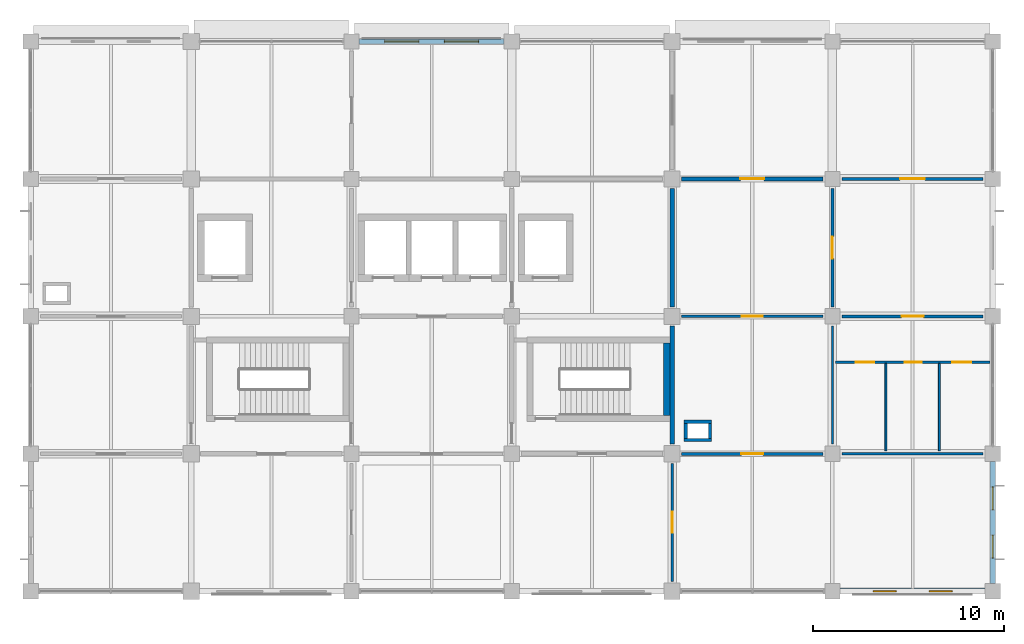
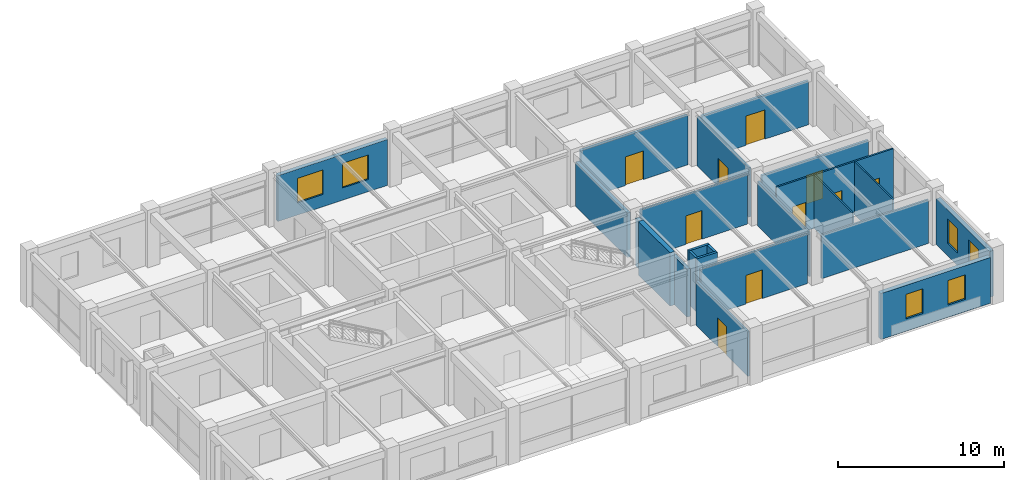
# One storey, part 10 of 13: 22 walls, 10 doors, 6 windows, 16 openings.
"""IFC4 building model written with IfcOpenShell, lengths in metres."""

from ifc_helpers import new_model, si_unit, derived_unit, direction, frame, frame_2d, origin, place, context, subcontext, project, spatial, rectangle, extrude, material, layer, layer_set, type_object, element, fill, save


model = new_model("IFC4")

# Units and contexts
model_context = context("Model", 3, precision=1e-05, world=origin(), true_north=direction((0.0, 1.0)))
body_context = subcontext(model_context, "Body", "Model", "MODEL_VIEW")
ifc_project = project(units=[si_unit("LENGTHUNIT", "METRE"), si_unit("AREAUNIT", "SQUARE_METRE"), si_unit("VOLUMEUNIT", "CUBIC_METRE"), si_unit("PLANEANGLEUNIT", "RADIAN"), si_unit("MASSUNIT", "GRAM", prefix="KILO"), derived_unit("THERMALTRANSMITTANCEUNIT", [(si_unit("MASSUNIT", "GRAM", prefix="KILO"), 1), (si_unit("TIMEUNIT", "SECOND"), -3), (si_unit("THERMODYNAMICTEMPERATUREUNIT", "KELVIN"), -1)])], contexts=[model_context])

# Site, building, storey
site_placement = place(None, origin())
site = spatial("IfcSite", under=ifc_project, at=site_placement, CompositionType="ELEMENT")
building_placement = place(site_placement, origin())
building = spatial("IfcBuilding", under=site, at=building_placement, Name="Veldstrom Oceanarium and Marine Research Institute", CompositionType="ELEMENT")
storey_placement = place(building_placement, frame((0.0, 0.0, 27.0)))
storey = spatial("IfcBuildingStorey", under=building, at=storey_placement, Name="L05", CompositionType="ELEMENT", Elevation=27.0)

# Wall, openings, windows
ifc_material_1 = material(Name="Masonry Cavity Wall", Category="masonry")
ifc_layer_1 = layer(ifc_material_1, 0.31005859375)
ifc_layer_set_1 = layer_set([ifc_layer_1], Name="ARC-WAL-EW1")
wall_type_1 = type_object("IfcWallType", Name="ARC-WAL-EW1", PredefinedType="SOLIDWALL", material=ifc_layer_set_1)
wall_1_placement = place(storey_placement, frame((109.60009765625, 43.199951171875, 0.0), z_axis=(0.0, 0.0, 1.0), x_axis=(1.0, 0.0, 0.0)))
wall_1 = element("IfcWall", 1, at=wall_1_placement, inside=storey, type_object=wall_type_1, Name="Exterior Facade Wall EW1 L05-183", PredefinedType="SOLIDWALL", context=body_context, shape_type="SweptSolid", body=[
    extrude(rectangle(XDim=7.599853515625, YDim=0.31005859375, at=frame_2d((3.7998046875, 0.0))), origin(), (0.0, 0.0, 1.0), 3.364990234375),
])
opening_1_placement = place(wall_1_placement, frame((1.7333984375, 0.0, 0.89990234375)))
opening_1 = element("IfcOpeningElement", 2, at=opening_1_placement, cuts=wall_1, Name="Opening W05", PredefinedType="OPENING", context=body_context, shape_type="SweptSolid", body=[
    extrude(rectangle(XDim=1.199951171875, YDim=1.800048828125, at=frame_2d((0.60009765625, 0.89990234375))), frame((0.0, 0.1650390625, 0.0), z_axis=(0.0, -1.0, 0.0), x_axis=(1.0, 0.0, 0.0)), (0.0, 0.0, 1.0), 0.330078125),
])
opening_2_placement = place(wall_1_placement, frame((4.666748046875, 0.0, 0.89990234375)))
opening_2 = element("IfcOpeningElement", 3, at=opening_2_placement, cuts=wall_1, Name="Opening W05", PredefinedType="OPENING", context=body_context, shape_type="SweptSolid", body=[
    extrude(rectangle(XDim=1.199951171875, YDim=1.800048828125, at=frame_2d((0.60009765625, 0.89990234375))), frame((0.0, 0.1650390625, 0.0), z_axis=(0.0, -1.0, 0.0), x_axis=(1.0, 0.0, 0.0)), (0.0, 0.0, 1.0), 0.330078125),
])
ifc_material_2 = material(Name="Double Glazed Low-E IGU", Category="glass")
window_type_1 = type_object("IfcWindowType", Name="ARC-WIN-W05", PartitioningType="SINGLE_PANEL", PredefinedType="WINDOW", material=ifc_material_2)
window_1_placement = place(opening_1_placement, origin())
window_1 = element("IfcWindow", 4, at=window_1_placement, inside=storey, type_object=window_type_1, Name="Facade Window W05 L05-0143", OverallHeight=1.800048828125, OverallWidth=1.199951171875, PartitioningType="SINGLE_PANEL", PredefinedType="WINDOW", context=body_context, shape_type="SweptSolid", body=[
    extrude(rectangle(XDim=1.199951171875, YDim=1.800048828125, at=frame_2d((0.60009765625, 0.89990234375))), frame((0.0, 0.030029296875, 0.0), z_axis=(0.0, -1.0, 0.0), x_axis=(1.0, 0.0, 0.0)), (0.0, 0.0, 1.0), 0.06005859375),
])
fill(opening_1, window_1)
window_2_placement = place(opening_2_placement, origin())
window_2 = element("IfcWindow", 5, at=window_2_placement, inside=storey, type_object=window_type_1, Name="Facade Window W05 L05-0144", OverallHeight=1.800048828125, OverallWidth=1.199951171875, PartitioningType="SINGLE_PANEL", PredefinedType="WINDOW", context=body_context, shape_type="SweptSolid", body=[
    extrude(rectangle(XDim=1.199951171875, YDim=1.800048828125, at=frame_2d((0.60009765625, 0.89990234375))), frame((0.0, 0.030029296875, 0.0), z_axis=(0.0, -1.0, 0.0), x_axis=(1.0, 0.0, 0.0)), (0.0, 0.0, 1.0), 0.06005859375),
])
fill(opening_2, window_2)

ifc_material_3 = material(Name="Masonry Cavity Wall", Category="masonry")
ifc_layer_2 = layer(ifc_material_3, 0.2900390625)
ifc_layer_set_2 = layer_set([ifc_layer_2], Name="ARC-WAL-EW2")
wall_type_2 = type_object("IfcWallType", Name="ARC-WAL-EW2", PredefinedType="SOLIDWALL", material=ifc_layer_set_2)
wall_2_placement = place(storey_placement, frame((117.60009765625, 43.60009765625, 0.0), z_axis=(0.0, 0.0, 1.0), x_axis=(0.0, 1.0, 0.0)))
wall_2 = element("IfcWall", 6, at=wall_2_placement, inside=storey, type_object=wall_type_2, Name="Exterior Facade Wall EW2 L05-184", PredefinedType="SOLIDWALL", context=body_context, shape_type="SweptSolid", body=[
    extrude(rectangle(XDim=6.39990234375, YDim=0.2900390625, at=frame_2d((3.199951171875, 0.0))), origin(), (0.0, 0.0, 1.0), 3.364990234375),
])
opening_3_placement = place(wall_2_placement, frame((1.333251953125, 0.0, 0.89990234375)))
opening_3 = element("IfcOpeningElement", 7, at=opening_3_placement, cuts=wall_2, Name="Opening W05", PredefinedType="OPENING", context=body_context, shape_type="SweptSolid", body=[
    extrude(rectangle(XDim=1.199951171875, YDim=1.800048828125, at=frame_2d((0.60009765625, 0.89990234375))), frame((0.0, 0.155029296875, 0.0), z_axis=(0.0, -1.0, 0.0), x_axis=(1.0, 0.0, 0.0)), (0.0, 0.0, 1.0), 0.31005859375),
])
opening_4_placement = place(wall_2_placement, frame((3.86669921875, 0.0, 0.89990234375)))
opening_4 = element("IfcOpeningElement", 8, at=opening_4_placement, cuts=wall_2, Name="Opening W05", PredefinedType="OPENING", context=body_context, shape_type="SweptSolid", body=[
    extrude(rectangle(XDim=1.199951171875, YDim=1.800048828125, at=frame_2d((0.60009765625, 0.89990234375))), frame((0.0, 0.155029296875, 0.0), z_axis=(0.0, -1.0, 0.0), x_axis=(1.0, 0.0, 0.0)), (0.0, 0.0, 1.0), 0.31005859375),
])
window_3_placement = place(opening_3_placement, origin())
window_3 = element("IfcWindow", 9, at=window_3_placement, inside=storey, type_object=window_type_1, Name="Facade Window W05 L05-0145", OverallHeight=1.800048828125, OverallWidth=1.199951171875, PartitioningType="SINGLE_PANEL", PredefinedType="WINDOW", context=body_context, shape_type="SweptSolid", body=[
    extrude(rectangle(XDim=1.199951171875, YDim=1.800048828125, at=frame_2d((0.60009765625, 0.89990234375))), frame((0.0, 0.030029296875, 0.0), z_axis=(0.0, -1.0, 0.0), x_axis=(1.0, 0.0, 0.0)), (0.0, 0.0, 1.0), 0.06005859375),
])
fill(opening_3, window_3)
window_4_placement = place(opening_4_placement, origin())
window_4 = element("IfcWindow", 10, at=window_4_placement, inside=storey, type_object=window_type_1, Name="Facade Window W05 L05-0146", OverallHeight=1.800048828125, OverallWidth=1.199951171875, PartitioningType="SINGLE_PANEL", PredefinedType="WINDOW", context=body_context, shape_type="SweptSolid", body=[
    extrude(rectangle(XDim=1.199951171875, YDim=1.800048828125, at=frame_2d((0.60009765625, 0.89990234375))), frame((0.0, 0.030029296875, 0.0), z_axis=(0.0, -1.0, 0.0), x_axis=(1.0, 0.0, 0.0)), (0.0, 0.0, 1.0), 0.06005859375),
])
fill(opening_4, window_4)

ifc_material_4 = material(Name="Masonry Cavity Wall", Category="masonry")
ifc_layer_3 = layer(ifc_material_4, 0.27001953125)
ifc_layer_set_3 = layer_set([ifc_layer_3], Name="ARC-WAL-EW3")
wall_type_3 = type_object("IfcWallType", Name="ARC-WAL-EW3", PredefinedType="SOLIDWALL", material=ifc_layer_set_3)
wall_3_placement = place(storey_placement, frame((84.39990234375, 72.0, 0.0), z_axis=(0.0, 0.0, 1.0), x_axis=(1.0, 0.0, 0.0)))
wall_3 = element("IfcWall", 11, at=wall_3_placement, inside=storey, type_object=wall_type_3, Name="Exterior Facade Wall EW3 L05-180", PredefinedType="SOLIDWALL", context=body_context, shape_type="SweptSolid", body=[
    extrude(rectangle(XDim=7.60009765625, YDim=0.27001953125, at=frame_2d((3.800048828125, 0.0))), origin(), (0.0, 0.0, 1.0), 3.364990234375),
])
opening_5_placement = place(wall_3_placement, frame((1.333251953125, 0.0, 0.89990234375)))
opening_5 = element("IfcOpeningElement", 12, at=opening_5_placement, cuts=wall_3, Name="Opening W03", PredefinedType="OPENING", context=body_context, shape_type="SweptSolid", body=[
    extrude(rectangle(XDim=1.800048828125, YDim=1.800048828125, at=frame_2d((0.89990234375, 0.89990234375))), frame((0.0, 0.14501953125, 0.0), z_axis=(0.0, -1.0, 0.0), x_axis=(1.0, 0.0, 0.0)), (0.0, 0.0, 1.0), 0.2900390625),
])
opening_6_placement = place(wall_3_placement, frame((4.466796875, 0.0, 0.89990234375)))
opening_6 = element("IfcOpeningElement", 13, at=opening_6_placement, cuts=wall_3, Name="Opening W03", PredefinedType="OPENING", context=body_context, shape_type="SweptSolid", body=[
    extrude(rectangle(XDim=1.800048828125, YDim=1.800048828125, at=frame_2d((0.89990234375, 0.89990234375))), frame((0.0, 0.14501953125, 0.0), z_axis=(0.0, -1.0, 0.0), x_axis=(1.0, 0.0, 0.0)), (0.0, 0.0, 1.0), 0.2900390625),
])
ifc_material_5 = material(Name="Double Glazed Low-E IGU", Category="glass")
window_type_2 = type_object("IfcWindowType", Name="ARC-WIN-W03", PartitioningType="SINGLE_PANEL", PredefinedType="WINDOW", material=ifc_material_5)
window_5_placement = place(opening_5_placement, origin())
window_5 = element("IfcWindow", 14, at=window_5_placement, inside=storey, type_object=window_type_2, Name="Facade Window W03 L05-0137", OverallHeight=1.800048828125, OverallWidth=1.800048828125, PartitioningType="SINGLE_PANEL", PredefinedType="WINDOW", context=body_context, shape_type="SweptSolid", body=[
    extrude(rectangle(XDim=1.800048828125, YDim=1.800048828125, at=frame_2d((0.89990234375, 0.89990234375))), frame((0.0, 0.030029296875, 0.0), z_axis=(0.0, -1.0, 0.0), x_axis=(1.0, 0.0, 0.0)), (0.0, 0.0, 1.0), 0.06005859375),
])
fill(opening_5, window_5)
window_6_placement = place(opening_6_placement, origin())
window_6 = element("IfcWindow", 15, at=window_6_placement, inside=storey, type_object=window_type_2, Name="Facade Window W03 L05-0138", OverallHeight=1.800048828125, OverallWidth=1.800048828125, PartitioningType="SINGLE_PANEL", PredefinedType="WINDOW", context=body_context, shape_type="SweptSolid", body=[
    extrude(rectangle(XDim=1.800048828125, YDim=1.800048828125, at=frame_2d((0.89990234375, 0.89990234375))), frame((0.0, 0.030029296875, 0.0), z_axis=(0.0, -1.0, 0.0), x_axis=(1.0, 0.0, 0.0)), (0.0, 0.0, 1.0), 0.06005859375),
])
fill(opening_6, window_6)

# Walls
ifc_material_6 = material(Name="Masonry Fire Compartment Wall", Category="masonry")
ifc_layer_4 = layer(ifc_material_6, 0.22998046875)
ifc_layer_set_4 = layer_set([ifc_layer_4], Name="ARC-WAL-PT1")
wall_type_4 = type_object("IfcWallType", Name="ARC-WAL-PT1", PredefinedType="PARTITIONING", material=ifc_layer_set_4)
wall_4_placement = place(storey_placement, frame((100.800048828125, 50.89990234375, 0.0), z_axis=(0.0, 0.0, 1.0), x_axis=(0.0, 1.0, 0.0)))
element("IfcWall", 16, at=wall_4_placement, inside=storey, type_object=wall_type_4, Name="Interior Partition PT1 L05-1460", PredefinedType="PARTITIONING", context=body_context, shape_type="SweptSolid", body=[
    extrude(rectangle(XDim=6.2001953125, YDim=0.22998046875, at=frame_2d((3.10009765625, 0.0))), origin(), (0.0, 0.0, 1.0), 3.514892578125),
])
wall_5_placement = place(storey_placement, frame((100.800048828125, 58.10009765625, 0.0), z_axis=(0.0, 0.0, 1.0), x_axis=(0.0, 1.0, 0.0)))
element("IfcWall", 17, at=wall_5_placement, inside=storey, type_object=wall_type_4, Name="Interior Partition PT1 L05-1462", PredefinedType="PARTITIONING", context=body_context, shape_type="SweptSolid", body=[
    extrude(rectangle(XDim=6.199951171875, YDim=0.22998046875, at=frame_2d((3.10009765625, 0.0))), origin(), (0.0, 0.0, 1.0), 3.264892578125),
])

# Wall, opening, door
ifc_material_7 = material(Name="Masonry Acoustic Lab Partition", Category="masonry")
ifc_layer_5 = layer(ifc_material_7, 0.205078125)
ifc_layer_set_5 = layer_set([ifc_layer_5], Name="ARC-WAL-PT2")
wall_type_5 = type_object("IfcWallType", Name="ARC-WAL-PT2", PredefinedType="PARTITIONING", material=ifc_layer_set_5)
wall_6_placement = place(storey_placement, frame((101.300048828125, 64.800048828125, 0.0), z_axis=(0.0, 0.0, 1.0), x_axis=(1.0, 0.0, 0.0)))
wall_6 = element("IfcWall", 18, at=wall_6_placement, inside=storey, type_object=wall_type_5, Name="Interior Partition PT2 L05-1469", PredefinedType="PARTITIONING", context=body_context, shape_type="SweptSolid", body=[
    extrude(rectangle(XDim=7.39990234375, YDim=0.205078125, at=frame_2d((3.699951171875, 0.0))), origin(), (0.0, 0.0, 1.0), 3.625),
])
opening_7_placement = place(wall_6_placement, frame((3.074951171875, 0.0, 0.0)))
opening_7 = element("IfcOpeningElement", 19, at=opening_7_placement, cuts=wall_6, Name="Opening D-L05-874", PredefinedType="OPENING", context=body_context, shape_type="SweptSolid", body=[
    extrude(rectangle(XDim=1.25, YDim=2.10009765625, at=frame_2d((0.625, 1.050048828125))), frame((0.0, 0.112548828125, 0.0), z_axis=(0.0, -1.0, 0.0), x_axis=(1.0, 0.0, 0.0)), (0.0, 0.0, 1.0), 0.22509765625),
])
ifc_material_8 = material(Name="Specimen Prep Door", Category="timber")
door_type_1 = type_object("IfcDoorType", Name="ARC-DOR-ID16", OperationType="SINGLE_SWING_RIGHT", PredefinedType="DOOR", material=ifc_material_8)
door_1_placement = place(opening_7_placement, frame((1.25, 0.0, 0.0), z_axis=(0.0, 0.0, 1.0), x_axis=(-1.0, 0.0, 0.0)))
door_1 = element("IfcDoor", 20, at=door_1_placement, inside=storey, type_object=door_type_1, Name="Interior Door D-L05-874", OperationType="SINGLE_SWING_LEFT", OverallHeight=2.10009765625, OverallWidth=1.25, PredefinedType="DOOR", context=body_context, shape_type="SweptSolid", body=[
    extrude(rectangle(XDim=1.25, YDim=2.10009765625, at=frame_2d((0.625, 1.050048828125))), frame((0.0, 0.02490234375, 0.0), z_axis=(0.0, -1.0, 0.0), x_axis=(1.0, 0.0, 0.0)), (0.0, 0.0, 1.0), 0.050048828125),
])
fill(opening_7, door_1)

ifc_material_9 = material(Name="Drywall Acoustic Partition", Category="gypsum")
ifc_layer_6 = layer(ifc_material_9, 0.175048828125)
ifc_layer_set_6 = layer_set([ifc_layer_6], Name="ARC-WAL-PT3")
wall_type_6 = type_object("IfcWallType", Name="ARC-WAL-PT3", PredefinedType="PARTITIONING", material=ifc_layer_set_6)
wall_7_placement = place(storey_placement, frame((109.699951171875, 64.800048828125, 0.0), z_axis=(0.0, 0.0, 1.0), x_axis=(1.0, 0.0, 0.0)))
wall_7 = element("IfcWall", 21, at=wall_7_placement, inside=storey, type_object=wall_type_6, Name="Interior Partition PT3 L05-1472", PredefinedType="PARTITIONING", context=body_context, shape_type="SweptSolid", body=[
    extrude(rectangle(XDim=7.400146484375, YDim=0.175048828125, at=frame_2d((3.7001953125, 0.0))), origin(), (0.0, 0.0, 1.0), 3.215087890625),
])
opening_8_placement = place(wall_7_placement, frame((3.050048828125, 0.0, 0.0)))
opening_8 = element("IfcOpeningElement", 22, at=opening_8_placement, cuts=wall_7, Name="Opening D-L05-876", PredefinedType="OPENING", context=body_context, shape_type="SweptSolid", body=[
    extrude(rectangle(XDim=1.300048828125, YDim=2.14990234375, at=frame_2d((0.64990234375, 1.074951171875))), frame((0.0, 0.097412109375, 0.0), z_axis=(0.0, -1.0, 0.0), x_axis=(1.0, 0.0, 0.0)), (0.0, 0.0, 1.0), 0.195068359375),
])
ifc_material_10 = material(Name="Wet Lab Leaf-and-Half Door", Category="timber")
door_type_2 = type_object("IfcDoorType", Name="ARC-DOR-ID05", OperationType="SINGLE_SWING_LEFT", PredefinedType="DOOR", material=ifc_material_10)
door_2_placement = place(opening_8_placement, origin())
door_2 = element("IfcDoor", 23, at=door_2_placement, inside=storey, type_object=door_type_2, Name="Interior Door D-L05-876", OperationType="SINGLE_SWING_LEFT", OverallHeight=2.14990234375, OverallWidth=1.300048828125, PredefinedType="DOOR", context=body_context, shape_type="SweptSolid", body=[
    extrude(rectangle(XDim=1.300048828125, YDim=2.14990234375, at=frame_2d((0.64990234375, 1.074951171875))), frame((0.0, 0.02490234375, 0.0), z_axis=(0.0, -1.0, 0.0), x_axis=(1.0, 0.0, 0.0)), (0.0, 0.0, 1.0), 0.050048828125),
])
fill(opening_8, door_2)

ifc_material_11 = material(Name="Drywall Corridor Partition", Category="gypsum")
ifc_layer_7 = layer(ifc_material_11, 0.155029296875)
ifc_layer_set_7 = layer_set([ifc_layer_7], Name="ARC-WAL-PT4")
wall_type_7 = type_object("IfcWallType", Name="ARC-WAL-PT4", PredefinedType="PARTITIONING", material=ifc_layer_set_7)
wall_8_placement = place(storey_placement, frame((101.300048828125, 50.39990234375, 0.0), z_axis=(0.0, 0.0, 1.0), x_axis=(1.0, 0.0, 0.0)))
wall_8 = element("IfcWall", 24, at=wall_8_placement, inside=storey, type_object=wall_type_7, Name="Interior Partition PT4 L05-1465", PredefinedType="PARTITIONING", context=body_context, shape_type="SweptSolid", body=[
    extrude(rectangle(XDim=7.39990234375, YDim=0.155029296875, at=frame_2d((3.699951171875, 0.0))), origin(), (0.0, 0.0, 1.0), 3.625),
])
opening_9_placement = place(wall_8_placement, frame((3.125, 0.0, 0.0)))
opening_9 = element("IfcOpeningElement", 25, at=opening_9_placement, cuts=wall_8, Name="Opening D-L05-871", PredefinedType="OPENING", context=body_context, shape_type="SweptSolid", body=[
    extrude(rectangle(XDim=1.14990234375, YDim=2.10009765625, at=frame_2d((0.574951171875, 1.050048828125))), frame((0.0, 0.08740234375, 0.0), z_axis=(0.0, -1.0, 0.0), x_axis=(1.0, 0.0, 0.0)), (0.0, 0.0, 1.0), 0.175048828125),
])
ifc_material_12 = material(Name="Fellows Studio Door", Category="timber")
door_type_3 = type_object("IfcDoorType", Name="ARC-DOR-ID17", OperationType="SINGLE_SWING_LEFT", PredefinedType="DOOR", material=ifc_material_12)
door_3_placement = place(opening_9_placement, frame((1.14990234375, 0.0, 0.0), z_axis=(0.0, 0.0, 1.0), x_axis=(-1.0, 0.0, 0.0)))
door_3 = element("IfcDoor", 26, at=door_3_placement, inside=storey, type_object=door_type_3, Name="Interior Door D-L05-871", OperationType="SINGLE_SWING_LEFT", OverallHeight=2.10009765625, OverallWidth=1.14990234375, PredefinedType="DOOR", context=body_context, shape_type="SweptSolid", body=[
    extrude(rectangle(XDim=1.14990234375, YDim=2.10009765625, at=frame_2d((0.574951171875, 1.050048828125))), frame((0.0, 0.02490234375, 0.0), z_axis=(0.0, -1.0, 0.0), x_axis=(1.0, 0.0, 0.0)), (0.0, 0.0, 1.0), 0.050048828125),
])
fill(opening_9, door_3)

wall_9_placement = place(storey_placement, frame((109.199951171875, 58.10009765625, 0.0), z_axis=(0.0, 0.0, 1.0), x_axis=(0.0, 1.0, 0.0)))
wall_9 = element("IfcWall", 27, at=wall_9_placement, inside=storey, type_object=wall_type_7, Name="Interior Partition PT4 L05-1468", PredefinedType="PARTITIONING", context=body_context, shape_type="SweptSolid", body=[
    extrude(rectangle(XDim=6.199951171875, YDim=0.155029296875, at=frame_2d((3.10009765625, 0.0))), origin(), (0.0, 0.0, 1.0), 3.625),
])
opening_10_placement = place(wall_9_placement, frame((2.52490234375, 0.0, 0.0)))
opening_10 = element("IfcOpeningElement", 28, at=opening_10_placement, cuts=wall_9, Name="Opening D-L05-873", PredefinedType="OPENING", context=body_context, shape_type="SweptSolid", body=[
    extrude(rectangle(XDim=1.14990234375, YDim=2.10009765625, at=frame_2d((0.574951171875, 1.050048828125))), frame((0.0, 0.08740234375, 0.0), z_axis=(0.0, -1.0, 0.0), x_axis=(1.0, 0.0, 0.0)), (0.0, 0.0, 1.0), 0.175048828125),
])
door_4_placement = place(opening_10_placement, origin())
door_4 = element("IfcDoor", 29, at=door_4_placement, inside=storey, type_object=door_type_3, Name="Interior Door D-L05-873", OperationType="SINGLE_SWING_RIGHT", OverallHeight=2.10009765625, OverallWidth=1.14990234375, PredefinedType="DOOR", context=body_context, shape_type="SweptSolid", body=[
    extrude(rectangle(XDim=1.14990234375, YDim=2.10009765625, at=frame_2d((0.574951171875, 1.050048828125))), frame((0.0, 0.02490234375, 0.0), z_axis=(0.0, -1.0, 0.0), x_axis=(1.0, 0.0, 0.0)), (0.0, 0.0, 1.0), 0.050048828125),
])
fill(opening_10, door_4)

wall_10_placement = place(storey_placement, frame((109.699951171875, 57.60009765625, 0.0), z_axis=(0.0, 0.0, 1.0), x_axis=(1.0, 0.0, 0.0)))
wall_10 = element("IfcWall", 30, at=wall_10_placement, inside=storey, type_object=wall_type_7, Name="Interior Partition PT4 L05-1471", PredefinedType="PARTITIONING", context=body_context, shape_type="SweptSolid", body=[
    extrude(rectangle(XDim=7.400146484375, YDim=0.155029296875, at=frame_2d((3.7001953125, 0.0))), origin(), (0.0, 0.0, 1.0), 3.215087890625),
])
opening_11_placement = place(wall_10_placement, frame((3.125, 0.0, 0.0)))
opening_11 = element("IfcOpeningElement", 31, at=opening_11_placement, cuts=wall_10, Name="Opening D-L05-875", PredefinedType="OPENING", context=body_context, shape_type="SweptSolid", body=[
    extrude(rectangle(XDim=1.14990234375, YDim=2.10009765625, at=frame_2d((0.574951171875, 1.050048828125))), frame((0.0, 0.08740234375, 0.0), z_axis=(0.0, -1.0, 0.0), x_axis=(1.0, 0.0, 0.0)), (0.0, 0.0, 1.0), 0.175048828125),
])
door_5_placement = place(opening_11_placement, frame((1.14990234375, 0.0, 0.0), z_axis=(0.0, 0.0, 1.0), x_axis=(-1.0, 0.0, 0.0)))
door_5 = element("IfcDoor", 32, at=door_5_placement, inside=storey, type_object=door_type_3, Name="Interior Door D-L05-875", OperationType="SINGLE_SWING_LEFT", OverallHeight=2.10009765625, OverallWidth=1.14990234375, PredefinedType="DOOR", context=body_context, shape_type="SweptSolid", body=[
    extrude(rectangle(XDim=1.14990234375, YDim=2.10009765625, at=frame_2d((0.574951171875, 1.050048828125))), frame((0.0, 0.02490234375, 0.0), z_axis=(0.0, -1.0, 0.0), x_axis=(1.0, 0.0, 0.0)), (0.0, 0.0, 1.0), 0.050048828125),
])
fill(opening_11, door_5)

ifc_material_13 = material(Name="Moisture-Resistant Wet-Area Partition", Category="masonry")
ifc_layer_8 = layer(ifc_material_13, 0.139892578125)
ifc_layer_set_8 = layer_set([ifc_layer_8], Name="ARC-WAL-PT5")
wall_type_8 = type_object("IfcWallType", Name="ARC-WAL-PT5", PredefinedType="PARTITIONING", material=ifc_layer_set_8)
wall_11_placement = place(storey_placement, frame((100.800048828125, 43.699951171875, 0.0), z_axis=(0.0, 0.0, 1.0), x_axis=(0.0, 1.0, 0.0)))
wall_11 = element("IfcWall", 33, at=wall_11_placement, inside=storey, type_object=wall_type_8, Name="Interior Partition PT5 L05-1458", PredefinedType="PARTITIONING", context=body_context, shape_type="SweptSolid", body=[
    extrude(rectangle(XDim=6.199951171875, YDim=0.139892578125, at=frame_2d((3.10009765625, 0.0))), origin(), (0.0, 0.0, 1.0), 3.264892578125),
])
opening_12_placement = place(wall_11_placement, frame((2.550048828125, 0.0, 0.0)))
opening_12 = element("IfcOpeningElement", 34, at=opening_12_placement, cuts=wall_11, Name="Opening D-L05-868", PredefinedType="OPENING", context=body_context, shape_type="SweptSolid", body=[
    extrude(rectangle(XDim=1.10009765625, YDim=2.10009765625, at=frame_2d((0.550048828125, 1.050048828125))), frame((0.0, 0.079833984375, 0.0), z_axis=(0.0, -1.0, 0.0), x_axis=(1.0, 0.0, 0.0)), (0.0, 0.0, 1.0), 0.159912109375),
])
ifc_material_14 = material(Name="Research Office Door", Category="timber")
door_type_4 = type_object("IfcDoorType", Name="ARC-DOR-ID07", OperationType="SINGLE_SWING_LEFT", PredefinedType="DOOR", material=ifc_material_14)
door_6_placement = place(opening_12_placement, frame((1.10009765625, 0.0, 0.0), z_axis=(0.0, 0.0, 1.0), x_axis=(-1.0, 0.0, 0.0)))
door_6 = element("IfcDoor", 35, at=door_6_placement, inside=storey, type_object=door_type_4, Name="Interior Door D-L05-868", OperationType="SINGLE_SWING_RIGHT", OverallHeight=2.10009765625, OverallWidth=1.10009765625, PredefinedType="DOOR", context=body_context, shape_type="SweptSolid", body=[
    extrude(rectangle(XDim=1.10009765625, YDim=2.10009765625, at=frame_2d((0.550048828125, 1.050048828125))), frame((0.0, 0.02490234375, 0.0), z_axis=(0.0, -1.0, 0.0), x_axis=(1.0, 0.0, 0.0)), (0.0, 0.0, 1.0), 0.050048828125),
])
fill(opening_12, door_6)

wall_12_placement = place(storey_placement, frame((101.300048828125, 57.60009765625, 0.0), z_axis=(0.0, 0.0, 1.0), x_axis=(1.0, 0.0, 0.0)))
wall_12 = element("IfcWall", 36, at=wall_12_placement, inside=storey, type_object=wall_type_8, Name="Interior Partition PT5 L05-1467", PredefinedType="PARTITIONING", context=body_context, shape_type="SweptSolid", body=[
    extrude(rectangle(XDim=7.39990234375, YDim=0.139892578125, at=frame_2d((3.699951171875, 0.0))), origin(), (0.0, 0.0, 1.0), 3.625),
])
opening_13_placement = place(wall_12_placement, frame((3.14990234375, 0.0, 0.0)))
opening_13 = element("IfcOpeningElement", 37, at=opening_13_placement, cuts=wall_12, Name="Opening D-L05-872", PredefinedType="OPENING", context=body_context, shape_type="SweptSolid", body=[
    extrude(rectangle(XDim=1.10009765625, YDim=2.10009765625, at=frame_2d((0.550048828125, 1.050048828125))), frame((0.0, 0.079833984375, 0.0), z_axis=(0.0, -1.0, 0.0), x_axis=(1.0, 0.0, 0.0)), (0.0, 0.0, 1.0), 0.159912109375),
])
door_7_placement = place(opening_13_placement, origin())
door_7 = element("IfcDoor", 38, at=door_7_placement, inside=storey, type_object=door_type_4, Name="Interior Door D-L05-872", OperationType="SINGLE_SWING_LEFT", OverallHeight=2.10009765625, OverallWidth=1.10009765625, PredefinedType="DOOR", context=body_context, shape_type="SweptSolid", body=[
    extrude(rectangle(XDim=1.10009765625, YDim=2.10009765625, at=frame_2d((0.550048828125, 1.050048828125))), frame((0.0, 0.02490234375, 0.0), z_axis=(0.0, -1.0, 0.0), x_axis=(1.0, 0.0, 0.0)), (0.0, 0.0, 1.0), 0.050048828125),
])
fill(opening_13, door_7)

# Wall, openings, doors
ifc_material_15 = material(Name="Lightweight Studio Partition", Category="gypsum")
ifc_layer_9 = layer(ifc_material_15, 0.1201171875)
ifc_layer_set_9 = layer_set([ifc_layer_9], Name="ARC-WAL-PT6")
wall_type_9 = type_object("IfcWallType", Name="ARC-WAL-PT6", PredefinedType="PARTITIONING", material=ifc_layer_set_9)
wall_13_placement = place(storey_placement, frame((109.35009765625, 55.199951171875, 0.0), z_axis=(0.0, 0.0, 1.0), x_axis=(1.0, 0.0, 0.0)))
wall_13 = element("IfcWall", 39, at=wall_13_placement, inside=storey, type_object=wall_type_9, Name="Sanitary Vestibule Partition L05-13", PredefinedType="PARTITIONING", context=body_context, shape_type="SweptSolid", body=[
    extrude(rectangle(XDim=8.099853515625, YDim=0.1201171875, at=frame_2d((4.0498046875, 0.0))), origin(), (0.0, 0.0, 1.0), 3.919921875),
])
opening_14_placement = place(wall_13_placement, frame((1.080078125, 0.0, 0.0)))
opening_14 = element("IfcOpeningElement", 40, at=opening_14_placement, cuts=wall_13, Name="Opening D-L05-WC852", PredefinedType="OPENING", context=body_context, shape_type="SweptSolid", body=[
    extrude(rectangle(XDim=0.949951171875, YDim=2.10009765625, at=frame_2d((0.47509765625, 1.050048828125))), frame((0.0, 0.070068359375, 0.0), z_axis=(0.0, -1.0, 0.0), x_axis=(1.0, 0.0, 0.0)), (0.0, 0.0, 1.0), 0.14013671875),
])
opening_15_placement = place(wall_13_placement, frame((3.6298828125, 0.0, 0.0)))
opening_15 = element("IfcOpeningElement", 41, at=opening_15_placement, cuts=wall_13, Name="Opening D-L05-WC853", PredefinedType="OPENING", context=body_context, shape_type="SweptSolid", body=[
    extrude(rectangle(XDim=0.89990234375, YDim=2.10009765625, at=frame_2d((0.449951171875, 1.050048828125))), frame((0.0, 0.070068359375, 0.0), z_axis=(0.0, -1.0, 0.0), x_axis=(1.0, 0.0, 0.0)), (0.0, 0.0, 1.0), 0.14013671875),
])
opening_16_placement = place(wall_13_placement, frame((6.1298828125, 0.0, 0.0)))
opening_16 = element("IfcOpeningElement", 42, at=opening_16_placement, cuts=wall_13, Name="Opening D-L05-WC854", PredefinedType="OPENING", context=body_context, shape_type="SweptSolid", body=[
    extrude(rectangle(XDim=1.0, YDim=2.10009765625, at=frame_2d((0.5, 1.050048828125))), frame((0.0, 0.070068359375, 0.0), z_axis=(0.0, -1.0, 0.0), x_axis=(1.0, 0.0, 0.0)), (0.0, 0.0, 1.0), 0.14013671875),
])
ifc_material_16 = material(Name="Accessible Sanitary Door", Category="timber")
door_type_5 = type_object("IfcDoorType", Name="ARC-DOR-ID08", OperationType="SINGLE_SWING_RIGHT", PredefinedType="DOOR", material=ifc_material_16)
door_8_placement = place(opening_16_placement, frame((1.0, 0.0, 0.0), z_axis=(0.0, 0.0, 1.0), x_axis=(-1.0, 0.0, 0.0)))
door_8 = element("IfcDoor", 43, at=door_8_placement, inside=storey, type_object=door_type_5, Name="Accessible WC Door D-L05-WC854", OperationType="SINGLE_SWING_RIGHT", OverallHeight=2.10009765625, OverallWidth=1.0, PredefinedType="DOOR", context=body_context, shape_type="SweptSolid", body=[
    extrude(rectangle(XDim=1.0, YDim=2.10009765625, at=frame_2d((0.5, 1.050048828125))), frame((0.0, 0.02490234375, 0.0), z_axis=(0.0, -1.0, 0.0), x_axis=(1.0, 0.0, 0.0)), (0.0, 0.0, 1.0), 0.050048828125),
])
fill(opening_16, door_8)
ifc_material_17 = material(Name="Staff Sanitary Door", Category="timber")
door_type_6 = type_object("IfcDoorType", Name="ARC-DOR-ID09", OperationType="SINGLE_SWING_LEFT", PredefinedType="DOOR", material=ifc_material_17)
door_9_placement = place(opening_14_placement, frame((0.949951171875, 0.0, 0.0), z_axis=(0.0, 0.0, 1.0), x_axis=(-1.0, 0.0, 0.0)))
door_9 = element("IfcDoor", 44, at=door_9_placement, inside=storey, type_object=door_type_6, Name="Male WC Door D-L05-WC852", OperationType="SINGLE_SWING_RIGHT", OverallHeight=2.10009765625, OverallWidth=0.949951171875, PredefinedType="DOOR", context=body_context, shape_type="SweptSolid", body=[
    extrude(rectangle(XDim=0.949951171875, YDim=2.10009765625, at=frame_2d((0.47509765625, 1.050048828125))), frame((0.0, 0.02490234375, 0.0), z_axis=(0.0, -1.0, 0.0), x_axis=(1.0, 0.0, 0.0)), (0.0, 0.0, 1.0), 0.050048828125),
])
fill(opening_14, door_9)
ifc_material_18 = material(Name="Internal Sanitary Door", Category="timber")
door_type_7 = type_object("IfcDoorType", Name="ARC-DOR-ID10", OperationType="SINGLE_SWING_RIGHT", PredefinedType="DOOR", material=ifc_material_18)
door_10_placement = place(opening_15_placement, frame((0.89990234375, 0.0, 0.0), z_axis=(0.0, 0.0, 1.0), x_axis=(-1.0, 0.0, 0.0)))
door_10 = element("IfcDoor", 45, at=door_10_placement, inside=storey, type_object=door_type_7, Name="Female WC Door D-L05-WC853", OperationType="SINGLE_SWING_LEFT", OverallHeight=2.10009765625, OverallWidth=0.89990234375, PredefinedType="DOOR", context=body_context, shape_type="SweptSolid", body=[
    extrude(rectangle(XDim=0.89990234375, YDim=2.10009765625, at=frame_2d((0.449951171875, 1.050048828125))), frame((0.0, 0.02490234375, 0.0), z_axis=(0.0, -1.0, 0.0), x_axis=(1.0, 0.0, 0.0)), (0.0, 0.0, 1.0), 0.050048828125),
])
fill(opening_15, door_10)

# Walls
wall_14_placement = place(storey_placement, frame((109.199951171875, 50.89990234375, 0.0), z_axis=(0.0, 0.0, 1.0), x_axis=(0.0, 1.0, 0.0)))
element("IfcWall", 46, at=wall_14_placement, inside=storey, type_object=wall_type_9, Name="Interior Partition PT6 L05-1466", PredefinedType="PARTITIONING", context=body_context, shape_type="SweptSolid", body=[
    extrude(rectangle(XDim=6.2001953125, YDim=0.1201171875, at=frame_2d((3.10009765625, 0.0))), origin(), (0.0, 0.0, 1.0), 3.264892578125),
])
wall_15_placement = place(storey_placement, frame((109.699951171875, 50.39990234375, 0.0), z_axis=(0.0, 0.0, 1.0), x_axis=(1.0, 0.0, 0.0)))
element("IfcWall", 47, at=wall_15_placement, inside=storey, type_object=wall_type_9, Name="Interior Partition PT6 L05-1470", PredefinedType="PARTITIONING", context=body_context, shape_type="SweptSolid", body=[
    extrude(rectangle(XDim=7.400146484375, YDim=0.1201171875, at=frame_2d((3.7001953125, 0.0))), origin(), (0.0, 0.0, 1.0), 3.215087890625),
])
ifc_material_19 = material(Name="Sanitary Cubicle Partition", Category="gypsum")
ifc_layer_10 = layer(ifc_material_19, 0.10009765625)
ifc_layer_set_10 = layer_set([ifc_layer_10], Name="ARC-WAL-PT7")
wall_type_10 = type_object("IfcWallType", Name="ARC-WAL-PT7", PredefinedType="PARTITIONING", material=ifc_layer_set_10)
for number, where, z_axis, x_axis, name in (
    (48, (112.0, 50.550048828125, 0.0), (0.0, 0.0, 1.0), (0.0, 1.0, 0.0), "Sanitary Stall Divider Wall L05-1439"),
    (49, (114.800048828125, 50.550048828125, 0.0), (0.0, 0.0, 1.0), (0.0, 1.0, 0.0), "Sanitary Stall Divider Wall L05-1440"),
):
    element("IfcWall", number, at=place(storey_placement, frame(where, z_axis=z_axis, x_axis=x_axis)), inside=storey, type_object=wall_type_10, Name=name, PredefinedType="PARTITIONING", context=body_context, shape_type="SweptSolid", body=[
        extrude(rectangle(XDim=4.58984375, YDim=0.10009765625, at=frame_2d((2.294921875, 0.0))), origin(), (0.0, 0.0, 1.0), 3.919921875),
    ])
ifc_material_20 = material(Name="Service Riser Fire Shaft Wall", Category="masonry")
ifc_layer_11 = layer(ifc_material_20, 0.1650390625)
ifc_layer_set_11 = layer_set([ifc_layer_11], Name="ARC-WAL-PT9")
wall_type_11 = type_object("IfcWallType", Name="ARC-WAL-PT9", PredefinedType="PARTITIONING", material=ifc_layer_set_11)
for number, where, z_axis, x_axis, name in (
    (50, (101.43505859375, 51.117431640625, 0.0), (0.0, 0.0, 1.0), (1.0, 0.0, 0.0), "Service Riser Fire Shaft Wall L05-CE-S"),
    (51, (101.43505859375, 52.08251953125, 0.0), (0.0, 0.0, 1.0), (1.0, 0.0, 0.0), "Service Riser Fire Shaft Wall L05-CE-N"),
):
    element("IfcWall", number, at=place(storey_placement, frame(where, z_axis=z_axis, x_axis=x_axis)), inside=storey, type_object=wall_type_11, Name=name, PredefinedType="PARTITIONING", context=body_context, shape_type="SweptSolid", body=[
        extrude(rectangle(XDim=1.429931640625, YDim=0.1650390625, at=frame_2d((0.71484375, 0.0))), origin(), (0.0, 0.0, 1.0), 3.919921875),
    ])
for number, where, z_axis, x_axis, name in (
    (52, (101.517578125, 51.199951171875, 0.0), (0.0, 0.0, 1.0), (0.0, 1.0, 0.0), "Service Riser Fire Shaft Wall L05-CE-W"),
    (53, (102.782470703125, 51.199951171875, 0.0), (0.0, 0.0, 1.0), (0.0, 1.0, 0.0), "Service Riser Fire Shaft Wall L05-CE-E"),
):
    element("IfcWall", number, at=place(storey_placement, frame(where, z_axis=z_axis, x_axis=x_axis)), inside=storey, type_object=wall_type_11, Name=name, PredefinedType="PARTITIONING", context=body_context, shape_type="SweptSolid", body=[
        extrude(rectangle(XDim=0.800048828125, YDim=0.1650390625, at=frame_2d((0.39990234375, 0.0))), origin(), (0.0, 0.0, 1.0), 3.919921875),
    ])
ifc_material_21 = material(Name="Concrete C40/50", Category="concrete")
ifc_layer_12 = layer(ifc_material_21, 0.320068359375)
ifc_layer_set_12 = layer_set([ifc_layer_12], Name="STR-WAL-WC3")
wall_type_12 = type_object("IfcWallType", Name="STR-WAL-WC3", PredefinedType="SHEAR", material=ifc_layer_set_12)
wall_16_placement = place(storey_placement, frame((100.52001953125, 52.39990234375, 0.0), z_axis=(0.0, 0.0, 1.0), x_axis=(0.0, 1.0, 0.0)))
element("IfcWall", 54, at=wall_16_placement, inside=storey, type_object=wall_type_12, Name="Stair Core Shear Wall SC2-L05-E", PredefinedType="SHEAR", context=body_context, shape_type="SweptSolid", body=[
    extrude(rectangle(XDim=3.800048828125, YDim=0.320068359375, at=frame_2d((1.89990234375, 0.0))), origin(), (0.0, 0.0, 1.0), 3.919921875),
])

save(model, "model.ifc")
